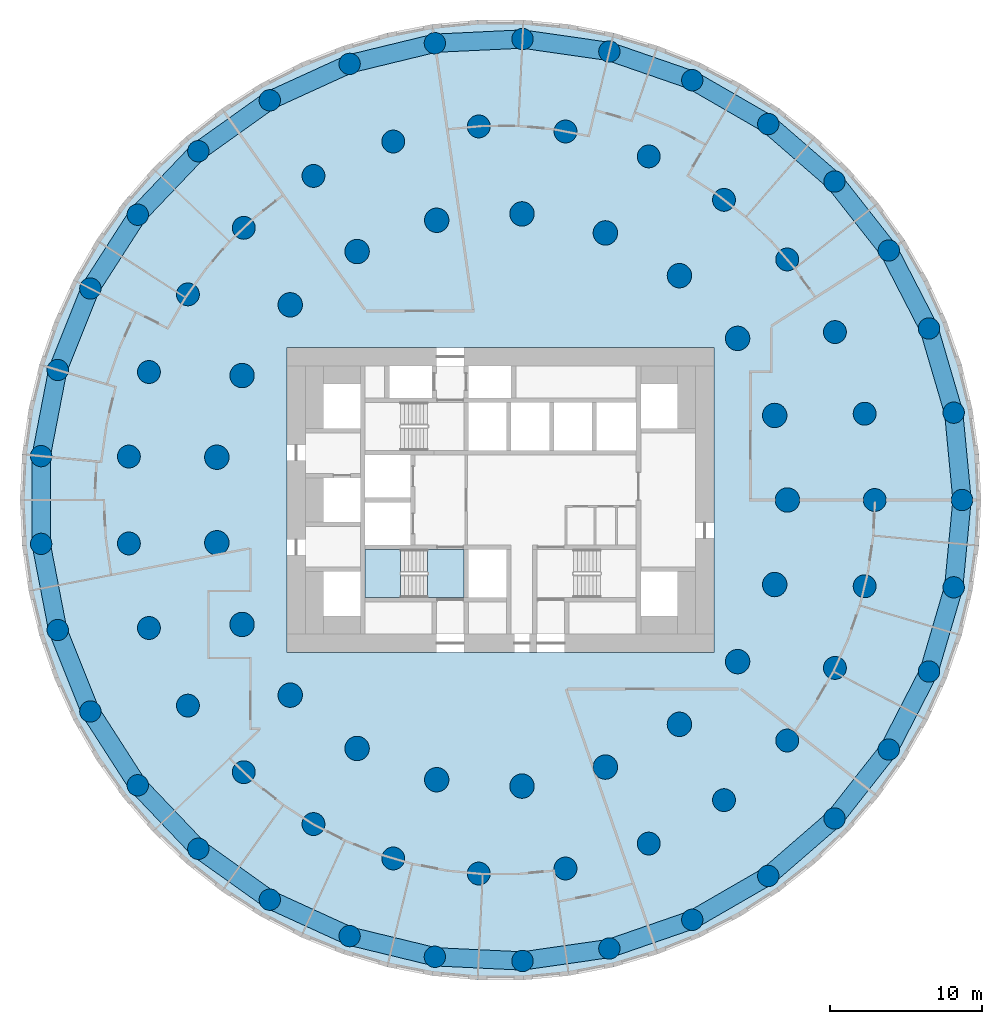
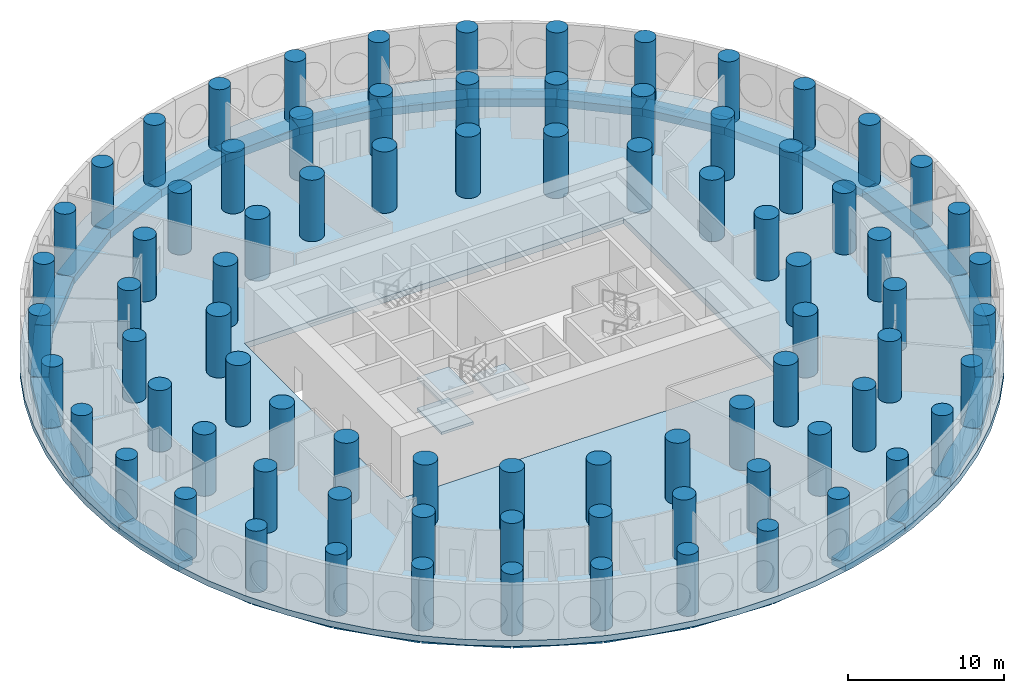
# One storey, part 1 of 11: 81 columns, 33 beams, 4 slabs, 1 element without a shape of its own.
"""IFC4 building model written with IfcOpenShell, lengths in metres."""

from ifc_helpers import new_model, si_unit, direction, frame, origin, origin_2d, place, context, subcontext, project, spatial, polyline, rectangle, circle, outline, extrude, material, layer, layer_set, material_profile, profile_set, type_object, element, aggregate, save


model = new_model("IFC4")

# Units and contexts
model_context = context("Model", 3, precision=1e-05, world=origin(), true_north=direction((0.0, 1.0)))
body_context = subcontext(model_context, "Body", "Model", "MODEL_VIEW")
ifc_project = project(units=[si_unit("LENGTHUNIT", "METRE"), si_unit("AREAUNIT", "SQUARE_METRE"), si_unit("VOLUMEUNIT", "CUBIC_METRE"), si_unit("PLANEANGLEUNIT", "RADIAN"), si_unit("MASSUNIT", "GRAM", prefix="KILO")], contexts=[model_context])

# Site, building, storey
site_placement = place(None, origin())
site = spatial("IfcSite", under=ifc_project, at=site_placement, CompositionType="ELEMENT")
building_placement = place(site_placement, origin())
building = spatial("IfcBuilding", under=site, at=building_placement, Name="Tracery Tower", CompositionType="ELEMENT")
storey_placement = place(building_placement, frame((0.0, 0.0, 9.0)))
storey = spatial("IfcBuildingStorey", under=building, at=storey_placement, Name="L01", CompositionType="ELEMENT", Elevation=9.0)

# Columns
ifc_material_1 = material(Name="Concrete C60/75", Category="concrete")
ifc_material_profile_1 = material_profile(ifc_material_1, circle(Radius=0.699951171875, at=origin_2d()), Name="RC D1400")
ifc_profile_set_1 = profile_set([ifc_material_profile_1], Name="Concrete C60/75")
column_type_1 = type_object("IfcColumnType", Name="Ring 0 column 1400", PredefinedType="COLUMN", material=ifc_profile_set_1)
for number, where, z_axis, x_axis, name in (
    (1, (30.274658203125, 0.0, 0.0), (0.0, 0.0, 1.0), (1.0, 0.0, 0.0), "Ring 0 column 00 at L01"),
    (2, (29.7275390625, 5.7294921875, 0.0), (0.0, 0.0, 1.0), (1.0, 0.0, 0.0), "Ring 0 column 01 at L01"),
    (3, (28.10595703125, 11.251953125, 0.0), (0.0, 0.0, 1.0), (1.0, 0.0, 0.0), "Ring 0 column 02 at L01"),
    (4, (25.468505859375, 16.36767578125, 0.0), (0.0, 0.0, 1.0), (1.0, 0.0, 0.0), "Ring 0 column 03 at L01"),
    (5, (21.910888671875, 20.891845703125, 0.0), (0.0, 0.0, 1.0), (1.0, 0.0, 0.0), "Ring 0 column 04 at L01"),
    (6, (17.56103515625, 24.660888671875, 0.0), (0.0, 0.0, 1.0), (1.0, 0.0, 0.0), "Ring 0 column 05 at L01"),
    (7, (12.576416015625, 27.538818359375, 0.0), (0.0, 0.0, 1.0), (1.0, 0.0, 0.0), "Ring 0 column 06 at L01"),
    (8, (7.137451171875, 29.421142578125, 0.0), (0.0, 0.0, 1.0), (1.0, 0.0, 0.0), "Ring 0 column 07 at L01"),
    (9, (1.4404296875, 30.240234375, 0.0), (0.0, 0.0, 1.0), (1.0, 0.0, 0.0), "Ring 0 column 08 at L01"),
    (10, (-4.30859375, 29.96630859375, 0.0), (0.0, 0.0, 1.0), (1.0, 0.0, 0.0), "Ring 0 column 09 at L01"),
    (11, (-9.90185546875, 28.609619140625, 0.0), (0.0, 0.0, 1.0), (1.0, 0.0, 0.0), "Ring 0 column 10 at L01"),
    (12, (-15.13720703125, 26.218505859375, 0.0), (0.0, 0.0, 1.0), (1.0, 0.0, 0.0), "Ring 0 column 11 at L01"),
    (13, (-19.82568359375, 22.8798828125, 0.0), (0.0, 0.0, 1.0), (1.0, 0.0, 0.0), "Ring 0 column 12 at L01"),
    (14, (-23.79736328125, 18.714599609375, 0.0), (0.0, 0.0, 1.0), (1.0, 0.0, 0.0), "Ring 0 column 13 at L01"),
    (15, (-26.9091796875, 13.87255859375, 0.0), (0.0, 0.0, 1.0), (1.0, 0.0, 0.0), "Ring 0 column 14 at L01"),
    (16, (-29.04833984375, 8.529296875, 0.0), (0.0, 0.0, 1.0), (1.0, 0.0, 0.0), "Ring 0 column 15 at L01"),
    (17, (-30.137451171875, 2.877685546875, 0.0), (0.0, 0.0, 1.0), (1.0, 0.0, 0.0), "Ring 0 column 16 at L01"),
    (18, (-30.137451171875, -2.877685546875, 0.0), (0.0, 0.0, 1.0), (1.0, 0.0, 0.0), "Ring 0 column 17 at L01"),
    (19, (-29.04833984375, -8.529296875, 0.0), (0.0, 0.0, 1.0), (1.0, 0.0, 0.0), "Ring 0 column 18 at L01"),
    (20, (-26.9091796875, -13.87255859375, 0.0), (0.0, 0.0, 1.0), (1.0, 0.0, 0.0), "Ring 0 column 19 at L01"),
    (21, (-23.79736328125, -18.714599609375, 0.0), (0.0, 0.0, 1.0), (1.0, 0.0, 0.0), "Ring 0 column 20 at L01"),
    (22, (-19.82568359375, -22.8798828125, 0.0), (0.0, 0.0, 1.0), (1.0, 0.0, 0.0), "Ring 0 column 21 at L01"),
    (23, (-15.13720703125, -26.218505859375, 0.0), (0.0, 0.0, 1.0), (1.0, 0.0, 0.0), "Ring 0 column 22 at L01"),
    (24, (-9.90185546875, -28.609619140625, 0.0), (0.0, 0.0, 1.0), (1.0, 0.0, 0.0), "Ring 0 column 23 at L01"),
    (25, (-4.30859375, -29.96630859375, 0.0), (0.0, 0.0, 1.0), (1.0, 0.0, 0.0), "Ring 0 column 24 at L01"),
    (26, (1.4404296875, -30.240234375, 0.0), (0.0, 0.0, 1.0), (1.0, 0.0, 0.0), "Ring 0 column 25 at L01"),
    (27, (7.137451171875, -29.421142578125, 0.0), (0.0, 0.0, 1.0), (1.0, 0.0, 0.0), "Ring 0 column 26 at L01"),
    (28, (12.576416015625, -27.538818359375, 0.0), (0.0, 0.0, 1.0), (1.0, 0.0, 0.0), "Ring 0 column 27 at L01"),
    (29, (17.56103515625, -24.660888671875, 0.0), (0.0, 0.0, 1.0), (1.0, 0.0, 0.0), "Ring 0 column 28 at L01"),
    (30, (21.910888671875, -20.891845703125, 0.0), (0.0, 0.0, 1.0), (1.0, 0.0, 0.0), "Ring 0 column 29 at L01"),
    (31, (25.468505859375, -16.36767578125, 0.0), (0.0, 0.0, 1.0), (1.0, 0.0, 0.0), "Ring 0 column 30 at L01"),
    (32, (28.10595703125, -11.251953125, 0.0), (0.0, 0.0, 1.0), (1.0, 0.0, 0.0), "Ring 0 column 31 at L01"),
    (33, (29.7275390625, -5.7294921875, 0.0), (0.0, 0.0, 1.0), (1.0, 0.0, 0.0), "Ring 0 column 32 at L01"),
):
    element("IfcColumn", number, at=place(storey_placement, frame(where, z_axis=z_axis, x_axis=x_axis)), inside=storey, type_object=column_type_1, Name=name, PredefinedType="COLUMN", context=body_context, shape_type="SweptSolid", body=[
        extrude(circle(Radius=0.699951171875, at=origin_2d()), origin(), (0.0, 0.0, 1.0), 4.800048828125),
    ])
ifc_material_2 = material(Name="Concrete C60/75", Category="concrete")
ifc_material_profile_2 = material_profile(ifc_material_2, circle(Radius=0.75, at=origin_2d()), Name="RC D1500")
ifc_profile_set_2 = profile_set([ifc_material_profile_2], Name="Concrete C60/75")
column_type_2 = type_object("IfcColumnType", Name="Ring 1 column 1500", PredefinedType="COLUMN", material=ifc_profile_set_2)
for number, where, z_axis, x_axis, name in (
    (34, (24.547607421875, 0.0, 0.0), (0.0, 0.0, 1.0), (1.0, 0.0, 0.0), "Ring 1 column 00 at L01"),
    (35, (23.885986328125, 5.6611328125, 0.0), (0.0, 0.0, 1.0), (1.0, 0.0, 0.0), "Ring 1 column 01 at L01"),
    (36, (21.9365234375, 11.01708984375, 0.0), (0.0, 0.0, 1.0), (1.0, 0.0, 0.0), "Ring 1 column 02 at L01"),
    (37, (18.8046875, 15.779052734375, 0.0), (0.0, 0.0, 1.0), (1.0, 0.0, 0.0), "Ring 1 column 03 at L01"),
    (38, (14.658935546875, 19.690185546875, 0.0), (0.0, 0.0, 1.0), (1.0, 0.0, 0.0), "Ring 1 column 04 at L01"),
    (39, (9.722900390625, 22.5400390625, 0.0), (0.0, 0.0, 1.0), (1.0, 0.0, 0.0), "Ring 1 column 05 at L01"),
    (40, (4.2626953125, 24.1748046875, 0.0), (0.0, 0.0, 1.0), (1.0, 0.0, 0.0), "Ring 1 column 06 at L01"),
    (41, (-1.42724609375, 24.506103515625, 0.0), (0.0, 0.0, 1.0), (1.0, 0.0, 0.0), "Ring 1 column 07 at L01"),
    (42, (-7.040283203125, 23.516357421875, 0.0), (0.0, 0.0, 1.0), (1.0, 0.0, 0.0), "Ring 1 column 08 at L01"),
    (43, (-12.273681640625, 21.2587890625, 0.0), (0.0, 0.0, 1.0), (1.0, 0.0, 0.0), "Ring 1 column 09 at L01"),
    (44, (-16.845703125, 17.855224609375, 0.0), (0.0, 0.0, 1.0), (1.0, 0.0, 0.0), "Ring 1 column 10 at L01"),
    (45, (-20.50927734375, 13.4892578125, 0.0), (0.0, 0.0, 1.0), (1.0, 0.0, 0.0), "Ring 1 column 11 at L01"),
    (46, (-23.0673828125, 8.395751953125, 0.0), (0.0, 0.0, 1.0), (1.0, 0.0, 0.0), "Ring 1 column 12 at L01"),
    (47, (-24.381591796875, 2.849853515625, 0.0), (0.0, 0.0, 1.0), (1.0, 0.0, 0.0), "Ring 1 column 13 at L01"),
    (48, (-24.381591796875, -2.849853515625, 0.0), (0.0, 0.0, 1.0), (1.0, 0.0, 0.0), "Ring 1 column 14 at L01"),
    (49, (-23.0673828125, -8.395751953125, 0.0), (0.0, 0.0, 1.0), (1.0, 0.0, 0.0), "Ring 1 column 15 at L01"),
    (50, (-20.50927734375, -13.4892578125, 0.0), (0.0, 0.0, 1.0), (1.0, 0.0, 0.0), "Ring 1 column 16 at L01"),
    (51, (-16.845703125, -17.85546875, 0.0), (0.0, 0.0, 1.0), (1.0, 0.0, 0.0), "Ring 1 column 17 at L01"),
    (52, (-12.27392578125, -21.2587890625, 0.0), (0.0, 0.0, 1.0), (1.0, 0.0, 0.0), "Ring 1 column 18 at L01"),
    (53, (-7.040283203125, -23.516357421875, 0.0), (0.0, 0.0, 1.0), (1.0, 0.0, 0.0), "Ring 1 column 19 at L01"),
    (54, (-1.42724609375, -24.506103515625, 0.0), (0.0, 0.0, 1.0), (1.0, 0.0, 0.0), "Ring 1 column 20 at L01"),
    (55, (4.2626953125, -24.1748046875, 0.0), (0.0, 0.0, 1.0), (1.0, 0.0, 0.0), "Ring 1 column 21 at L01"),
    (56, (9.722900390625, -22.5400390625, 0.0), (0.0, 0.0, 1.0), (1.0, 0.0, 0.0), "Ring 1 column 22 at L01"),
    (57, (14.658935546875, -19.690185546875, 0.0), (0.0, 0.0, 1.0), (1.0, 0.0, 0.0), "Ring 1 column 23 at L01"),
    (58, (18.8046875, -15.779052734375, 0.0), (0.0, 0.0, 1.0), (1.0, 0.0, 0.0), "Ring 1 column 24 at L01"),
    (59, (21.9365234375, -11.01708984375, 0.0), (0.0, 0.0, 1.0), (1.0, 0.0, 0.0), "Ring 1 column 25 at L01"),
    (60, (23.885986328125, -5.6611328125, 0.0), (0.0, 0.0, 1.0), (1.0, 0.0, 0.0), "Ring 1 column 26 at L01"),
):
    element("IfcColumn", number, at=place(storey_placement, frame(where, z_axis=z_axis, x_axis=x_axis)), inside=storey, type_object=column_type_2, Name=name, PredefinedType="COLUMN", context=body_context, shape_type="SweptSolid", body=[
        extrude(circle(Radius=0.75, at=origin_2d()), origin(), (0.0, 0.0, 1.0), 4.800048828125),
    ])
ifc_material_3 = material(Name="Concrete C60/75", Category="concrete")
ifc_material_profile_3 = material_profile(ifc_material_3, circle(Radius=0.800048828125, at=origin_2d()), Name="RC D1600")
ifc_profile_set_3 = profile_set([ifc_material_profile_3], Name="Concrete C60/75")
column_type_3 = type_object("IfcColumnType", Name="Ring 2 column 1600", PredefinedType="COLUMN", material=ifc_profile_set_3)
for number, where, z_axis, x_axis, name in (
    (61, (18.822265625, 0.0, 0.0), (0.0, 0.0, 1.0), (1.0, 0.0, 0.0), "Ring 2 column 00 at L01"),
    (62, (17.986083984375, 5.5478515625, 0.0), (0.0, 0.0, 1.0), (1.0, 0.0, 0.0), "Ring 2 column 01 at L01"),
    (63, (15.551513671875, 10.602783203125, 0.0), (0.0, 0.0, 1.0), (1.0, 0.0, 0.0), "Ring 2 column 02 at L01"),
    (64, (11.7353515625, 14.7158203125, 0.0), (0.0, 0.0, 1.0), (1.0, 0.0, 0.0), "Ring 2 column 03 at L01"),
    (65, (6.87646484375, 17.52099609375, 0.0), (0.0, 0.0, 1.0), (1.0, 0.0, 0.0), "Ring 2 column 04 at L01"),
    (66, (1.406494140625, 18.76953125, 0.0), (0.0, 0.0, 1.0), (1.0, 0.0, 0.0), "Ring 2 column 05 at L01"),
    (67, (-4.188232421875, 18.350341796875, 0.0), (0.0, 0.0, 1.0), (1.0, 0.0, 0.0), "Ring 2 column 06 at L01"),
    (68, (-9.4111328125, 16.300537109375, 0.0), (0.0, 0.0, 1.0), (1.0, 0.0, 0.0), "Ring 2 column 07 at L01"),
    (69, (-13.797607421875, 12.802490234375, 0.0), (0.0, 0.0, 1.0), (1.0, 0.0, 0.0), "Ring 2 column 08 at L01"),
    (70, (-16.958251953125, 8.16650390625, 0.0), (0.0, 0.0, 1.0), (1.0, 0.0, 0.0), "Ring 2 column 09 at L01"),
    (71, (-18.612060546875, 2.805419921875, 0.0), (0.0, 0.0, 1.0), (1.0, 0.0, 0.0), "Ring 2 column 10 at L01"),
    (72, (-18.612060546875, -2.805419921875, 0.0), (0.0, 0.0, 1.0), (1.0, 0.0, 0.0), "Ring 2 column 11 at L01"),
    (73, (-16.958251953125, -8.166748046875, 0.0), (0.0, 0.0, 1.0), (1.0, 0.0, 0.0), "Ring 2 column 12 at L01"),
    (74, (-13.797607421875, -12.80224609375, 0.0), (0.0, 0.0, 1.0), (1.0, 0.0, 0.0), "Ring 2 column 13 at L01"),
    (75, (-9.4111328125, -16.300537109375, 0.0), (0.0, 0.0, 1.0), (1.0, 0.0, 0.0), "Ring 2 column 14 at L01"),
    (76, (-4.188232421875, -18.350341796875, 0.0), (0.0, 0.0, 1.0), (1.0, 0.0, 0.0), "Ring 2 column 15 at L01"),
    (77, (1.406494140625, -18.76953125, 0.0), (0.0, 0.0, 1.0), (1.0, 0.0, 0.0), "Ring 2 column 16 at L01"),
    (78, (6.87646484375, -17.52099609375, 0.0), (0.0, 0.0, 1.0), (1.0, 0.0, 0.0), "Ring 2 column 17 at L01"),
    (79, (11.7353515625, -14.7158203125, 0.0), (0.0, 0.0, 1.0), (1.0, 0.0, 0.0), "Ring 2 column 18 at L01"),
    (80, (15.551513671875, -10.602783203125, 0.0), (0.0, 0.0, 1.0), (1.0, 0.0, 0.0), "Ring 2 column 19 at L01"),
    (81, (17.986083984375, -5.5478515625, 0.0), (0.0, 0.0, 1.0), (1.0, 0.0, 0.0), "Ring 2 column 20 at L01"),
):
    element("IfcColumn", number, at=place(storey_placement, frame(where, z_axis=z_axis, x_axis=x_axis)), inside=storey, type_object=column_type_3, Name=name, PredefinedType="COLUMN", context=body_context, shape_type="SweptSolid", body=[
        extrude(circle(Radius=0.800048828125, at=origin_2d()), origin(), (0.0, 0.0, 1.0), 4.800048828125),
    ])

# Beams
ifc_material_4 = material(Name="Concrete C60/75", Category="concrete")
ifc_material_profile_4 = material_profile(ifc_material_4, rectangle(XDim=1.199951171875, YDim=0.60009765625, at=origin_2d()), Name="RC 1200x600")
ifc_profile_set_4 = profile_set([ifc_material_profile_4], Name="Concrete C60/75")
beam_type = type_object("IfcBeamType", Name="Perimeter band beam 1200x600", PredefinedType="BEAM", material=ifc_profile_set_4)
for number, where, z_axis, x_axis, name in (
    (82, (30.274658203125, 0.0, -0.75), (-0.095059309677, 0.995471610667, 0.0), (-0.995471610667, -0.095059309677, 0.0), "Perimeter beam 0.00 under L01"),
    (83, (29.7275390625, 5.7294921875, -0.75), (-0.281739145896, 0.959491038869, 0.0), (-0.959491038869, -0.281739145896, 0.0), "Perimeter beam 0.01 under L01"),
    (84, (28.10595703125, 11.251953125, -0.75), (-0.458242010493, 0.88882746347, 0.0), (-0.88882746347, -0.458242010493, 0.0), "Perimeter beam 0.02 under L01"),
):
    element("IfcBeam", number, at=place(storey_placement, frame(where, z_axis=z_axis, x_axis=x_axis)), inside=storey, type_object=beam_type, Name=name, PredefinedType="BEAM", context=body_context, shape_type="SweptSolid", body=[
        extrude(rectangle(XDim=1.199951171875, YDim=0.60009765625, at=origin_2d()), origin(), (0.0, 0.0, 1.0), 5.755615234375),
    ])
beam_1_placement = place(storey_placement, frame((25.468505859375, 16.36767578125, -0.75), z_axis=(-0.618134362257, 0.786072458618, 0.0), x_axis=(-0.786072458618, -0.618134362257, 0.0)))
element("IfcBeam", 85, at=beam_1_placement, inside=storey, type_object=beam_type, Name="Perimeter beam 0.03 under L01", PredefinedType="BEAM", context=body_context, shape_type="SweptSolid", body=[
    extrude(rectangle(XDim=1.199951171875, YDim=0.60009765625, at=origin_2d()), origin(), (0.0, 0.0, 1.0), 5.75537109375),
])
beam_2_placement = place(storey_placement, frame((21.910888671875, 20.891845703125, -0.75), z_axis=(-0.755760456715, 0.65484817482, 0.0), x_axis=(-0.65484817482, -0.755760456715, 0.0)))
element("IfcBeam", 86, at=beam_2_placement, inside=storey, type_object=beam_type, Name="Perimeter beam 0.04 under L01", PredefinedType="BEAM", context=body_context, shape_type="SweptSolid", body=[
    extrude(rectangle(XDim=1.199951171875, YDim=0.60009765625, at=origin_2d()), origin(), (0.0, 0.0, 1.0), 5.755615234375),
])
beam_3_placement = place(storey_placement, frame((17.56103515625, 24.660888671875, -0.75), z_axis=(-0.866021003874, 0.50000762079, 0.0), x_axis=(-0.50000762079, -0.866021003874, 0.0)))
element("IfcBeam", 87, at=beam_3_placement, inside=storey, type_object=beam_type, Name="Perimeter beam 0.05 under L01", PredefinedType="BEAM", context=body_context, shape_type="SweptSolid", body=[
    extrude(rectangle(XDim=1.199951171875, YDim=0.60009765625, at=origin_2d()), origin(), (0.0, 0.0, 1.0), 5.755859375),
])
beam_4_placement = place(storey_placement, frame((12.576416015625, 27.538818359375, -0.75), z_axis=(-0.945007252869, 0.327049372458, 0.0), x_axis=(-0.327049372458, -0.945007252869, 0.0)))
element("IfcBeam", 88, at=beam_4_placement, inside=storey, type_object=beam_type, Name="Perimeter beam 0.06 under L01", PredefinedType="BEAM", context=body_context, shape_type="SweptSolid", body=[
    extrude(rectangle(XDim=1.199951171875, YDim=0.60009765625, at=origin_2d()), origin(), (0.0, 0.0, 1.0), 5.75537109375),
])
for number, where, z_axis, x_axis, name in (
    (89, (7.137451171875, 29.421142578125, -0.75), (-0.989821839174, 0.142312075013, 0.0), (-0.142312075013, -0.989821839174, 0.0), "Perimeter beam 0.07 under L01"),
    (90, (1.4404296875, 30.240234375, -0.75), (-0.998866793759, -0.047593364303, 0.0), (0.047593364303, -0.998866793759, 0.0), "Perimeter beam 0.08 under L01"),
):
    element("IfcBeam", number, at=place(storey_placement, frame(where, z_axis=z_axis, x_axis=x_axis)), inside=storey, type_object=beam_type, Name=name, PredefinedType="BEAM", context=body_context, shape_type="SweptSolid", body=[
        extrude(rectangle(XDim=1.199951171875, YDim=0.60009765625, at=origin_2d()), origin(), (0.0, 0.0, 1.0), 5.755615234375),
    ])
beam_5_placement = place(storey_placement, frame((-4.30859375, 29.96630859375, -0.75), z_axis=(-0.971820371509, -0.235722645328, 0.0), x_axis=(0.235722645328, -0.971820371509, 0.0)))
element("IfcBeam", 91, at=beam_5_placement, inside=storey, type_object=beam_type, Name="Perimeter beam 0.09 under L01", PredefinedType="BEAM", context=body_context, shape_type="SweptSolid", body=[
    extrude(rectangle(XDim=1.199951171875, YDim=0.60009765625, at=origin_2d()), origin(), (0.0, 0.0, 1.0), 5.75537109375),
])
for number, where, z_axis, x_axis, name in (
    (92, (-9.90185546875, 28.609619140625, -0.75), (-0.909618316865, -0.415444963411, 0.0), (0.415444963411, -0.909618316865, 0.0), "Perimeter beam 0.10 under L01"),
    (93, (-15.13720703125, 26.218505859375, -0.75), (-0.8145780864, -0.580053912285, 0.0), (0.580053912285, -0.8145780864, 0.0), "Perimeter beam 0.11 under L01"),
):
    element("IfcBeam", number, at=place(storey_placement, frame(where, z_axis=z_axis, x_axis=x_axis)), inside=storey, type_object=beam_type, Name=name, PredefinedType="BEAM", context=body_context, shape_type="SweptSolid", body=[
        extrude(rectangle(XDim=1.199951171875, YDim=0.60009765625, at=origin_2d()), origin(), (0.0, 0.0, 1.0), 5.755615234375),
    ])
beam_6_placement = place(storey_placement, frame((-19.82568359375, 22.8798828125, -0.75), z_axis=(-0.690087218267, -0.723726212863, 0.0), x_axis=(0.723726212863, -0.690087218267, 0.0)))
element("IfcBeam", 94, at=beam_6_placement, inside=storey, type_object=beam_type, Name="Perimeter beam 0.12 under L01", PredefinedType="BEAM", context=body_context, shape_type="SweptSolid", body=[
    extrude(rectangle(XDim=1.199951171875, YDim=0.60009765625, at=origin_2d()), origin(), (0.0, 0.0, 1.0), 5.75537109375),
])
beam_7_placement = place(storey_placement, frame((-23.79736328125, 18.714599609375, -0.75), z_axis=(-0.540643964602, -0.841251510274, 0.0), x_axis=(0.841251510274, -0.540643964602, 0.0)))
element("IfcBeam", 95, at=beam_7_placement, inside=storey, type_object=beam_type, Name="Perimeter beam 0.13 under L01", PredefinedType="BEAM", context=body_context, shape_type="SweptSolid", body=[
    extrude(rectangle(XDim=1.199951171875, YDim=0.60009765625, at=origin_2d()), origin(), (0.0, 0.0, 1.0), 5.755859375),
])
for number, where, z_axis, x_axis, name in (
    (96, (-26.9091796875, 13.87255859375, -0.75), (-0.371668572289, -0.928365484264, 0.0), (0.928365484264, -0.371668572289, 0.0), "Perimeter beam 0.14 under L01"),
    (97, (-29.04833984375, 8.529296875, -0.75), (-0.189226539295, -0.981933458451, 0.0), (0.981933458451, -0.189226539295, 0.0), "Perimeter beam 0.15 under L01"),
):
    element("IfcBeam", number, at=place(storey_placement, frame(where, z_axis=z_axis, x_axis=x_axis)), inside=storey, type_object=beam_type, Name=name, PredefinedType="BEAM", context=body_context, shape_type="SweptSolid", body=[
        extrude(rectangle(XDim=1.199951171875, YDim=0.60009765625, at=origin_2d()), origin(), (0.0, 0.0, 1.0), 5.755615234375),
    ])
beam_8_placement = place(storey_placement, frame((-30.137451171875, 2.877685546875, -0.75), z_axis=(0.0, -1.0, 0.0), x_axis=(1.0, 0.0, 0.0)))
element("IfcBeam", 98, at=beam_8_placement, inside=storey, type_object=beam_type, Name="Perimeter beam 0.16 under L01", PredefinedType="BEAM", context=body_context, shape_type="SweptSolid", body=[
    extrude(rectangle(XDim=1.199951171875, YDim=0.60009765625, at=origin_2d()), origin(), (0.0, 0.0, 1.0), 5.75537109375),
])
for number, where, z_axis, x_axis, name in (
    (99, (-30.137451171875, -2.877685546875, -0.75), (0.189226539295, -0.981933458451, 0.0), (0.981933458451, 0.189226539295, 0.0), "Perimeter beam 0.17 under L01"),
    (100, (-29.04833984375, -8.529296875, -0.75), (0.371668572289, -0.928365484264, 0.0), (0.928365484264, 0.371668572289, 0.0), "Perimeter beam 0.18 under L01"),
):
    element("IfcBeam", number, at=place(storey_placement, frame(where, z_axis=z_axis, x_axis=x_axis)), inside=storey, type_object=beam_type, Name=name, PredefinedType="BEAM", context=body_context, shape_type="SweptSolid", body=[
        extrude(rectangle(XDim=1.199951171875, YDim=0.60009765625, at=origin_2d()), origin(), (0.0, 0.0, 1.0), 5.755615234375),
    ])
beam_9_placement = place(storey_placement, frame((-26.9091796875, -13.87255859375, -0.75), z_axis=(0.540643964602, -0.841251510274, 0.0), x_axis=(0.841251510274, 0.540643964602, 0.0)))
element("IfcBeam", 101, at=beam_9_placement, inside=storey, type_object=beam_type, Name="Perimeter beam 0.19 under L01", PredefinedType="BEAM", context=body_context, shape_type="SweptSolid", body=[
    extrude(rectangle(XDim=1.199951171875, YDim=0.60009765625, at=origin_2d()), origin(), (0.0, 0.0, 1.0), 5.755859375),
])
beam_10_placement = place(storey_placement, frame((-23.79736328125, -18.714599609375, -0.75), z_axis=(0.690087218267, -0.723726212863, 0.0), x_axis=(0.723726212863, 0.690087218267, 0.0)))
element("IfcBeam", 102, at=beam_10_placement, inside=storey, type_object=beam_type, Name="Perimeter beam 0.20 under L01", PredefinedType="BEAM", context=body_context, shape_type="SweptSolid", body=[
    extrude(rectangle(XDim=1.199951171875, YDim=0.60009765625, at=origin_2d()), origin(), (0.0, 0.0, 1.0), 5.75537109375),
])
for number, where, z_axis, x_axis, name in (
    (103, (-19.82568359375, -22.8798828125, -0.75), (0.8145780864, -0.580053912285, 0.0), (0.580053912285, 0.8145780864, 0.0), "Perimeter beam 0.21 under L01"),
    (104, (-15.13720703125, -26.218505859375, -0.75), (0.909618316865, -0.415444963411, 0.0), (0.415444963411, 0.909618316865, 0.0), "Perimeter beam 0.22 under L01"),
):
    element("IfcBeam", number, at=place(storey_placement, frame(where, z_axis=z_axis, x_axis=x_axis)), inside=storey, type_object=beam_type, Name=name, PredefinedType="BEAM", context=body_context, shape_type="SweptSolid", body=[
        extrude(rectangle(XDim=1.199951171875, YDim=0.60009765625, at=origin_2d()), origin(), (0.0, 0.0, 1.0), 5.755615234375),
    ])
beam_11_placement = place(storey_placement, frame((-9.90185546875, -28.609619140625, -0.75), z_axis=(0.971820371509, -0.235722645328, 0.0), x_axis=(0.235722645328, 0.971820371509, 0.0)))
element("IfcBeam", 105, at=beam_11_placement, inside=storey, type_object=beam_type, Name="Perimeter beam 0.23 under L01", PredefinedType="BEAM", context=body_context, shape_type="SweptSolid", body=[
    extrude(rectangle(XDim=1.199951171875, YDim=0.60009765625, at=origin_2d()), origin(), (0.0, 0.0, 1.0), 5.75537109375),
])
for number, where, z_axis, x_axis, name in (
    (106, (-4.30859375, -29.96630859375, -0.75), (0.998866793759, -0.047593364303, 0.0), (0.047593364303, 0.998866793759, 0.0), "Perimeter beam 0.24 under L01"),
    (107, (1.4404296875, -30.240234375, -0.75), (0.989821839174, 0.142312075013, 0.0), (-0.142312075013, 0.989821839174, 0.0), "Perimeter beam 0.25 under L01"),
):
    element("IfcBeam", number, at=place(storey_placement, frame(where, z_axis=z_axis, x_axis=x_axis)), inside=storey, type_object=beam_type, Name=name, PredefinedType="BEAM", context=body_context, shape_type="SweptSolid", body=[
        extrude(rectangle(XDim=1.199951171875, YDim=0.60009765625, at=origin_2d()), origin(), (0.0, 0.0, 1.0), 5.755615234375),
    ])
beam_12_placement = place(storey_placement, frame((7.137451171875, -29.421142578125, -0.75), z_axis=(0.945007252869, 0.327049372458, 0.0), x_axis=(-0.327049372458, 0.945007252869, 0.0)))
element("IfcBeam", 108, at=beam_12_placement, inside=storey, type_object=beam_type, Name="Perimeter beam 0.26 under L01", PredefinedType="BEAM", context=body_context, shape_type="SweptSolid", body=[
    extrude(rectangle(XDim=1.199951171875, YDim=0.60009765625, at=origin_2d()), origin(), (0.0, 0.0, 1.0), 5.75537109375),
])
beam_13_placement = place(storey_placement, frame((12.576416015625, -27.538818359375, -0.75), z_axis=(0.866021003874, 0.50000762079, 0.0), x_axis=(-0.50000762079, 0.866021003874, 0.0)))
element("IfcBeam", 109, at=beam_13_placement, inside=storey, type_object=beam_type, Name="Perimeter beam 0.27 under L01", PredefinedType="BEAM", context=body_context, shape_type="SweptSolid", body=[
    extrude(rectangle(XDim=1.199951171875, YDim=0.60009765625, at=origin_2d()), origin(), (0.0, 0.0, 1.0), 5.755859375),
])
beam_14_placement = place(storey_placement, frame((17.56103515625, -24.660888671875, -0.75), z_axis=(0.755760456715, 0.65484817482, 0.0), x_axis=(-0.65484817482, 0.755760456715, 0.0)))
element("IfcBeam", 110, at=beam_14_placement, inside=storey, type_object=beam_type, Name="Perimeter beam 0.28 under L01", PredefinedType="BEAM", context=body_context, shape_type="SweptSolid", body=[
    extrude(rectangle(XDim=1.199951171875, YDim=0.60009765625, at=origin_2d()), origin(), (0.0, 0.0, 1.0), 5.755615234375),
])
beam_15_placement = place(storey_placement, frame((21.910888671875, -20.891845703125, -0.75), z_axis=(0.618134362257, 0.786072458618, 0.0), x_axis=(-0.786072458618, 0.618134362257, 0.0)))
element("IfcBeam", 111, at=beam_15_placement, inside=storey, type_object=beam_type, Name="Perimeter beam 0.29 under L01", PredefinedType="BEAM", context=body_context, shape_type="SweptSolid", body=[
    extrude(rectangle(XDim=1.199951171875, YDim=0.60009765625, at=origin_2d()), origin(), (0.0, 0.0, 1.0), 5.75537109375),
])
for number, where, z_axis, x_axis, name in (
    (112, (25.468505859375, -16.36767578125, -0.75), (0.458242010493, 0.88882746347, 0.0), (-0.88882746347, 0.458242010493, 0.0), "Perimeter beam 0.30 under L01"),
    (113, (28.10595703125, -11.251953125, -0.75), (0.281739145896, 0.959491038869, 0.0), (-0.959491038869, 0.281739145896, 0.0), "Perimeter beam 0.31 under L01"),
    (114, (29.7275390625, -5.7294921875, -0.75), (0.095059309677, 0.995471610667, 0.0), (-0.995471610667, 0.095059309677, 0.0), "Perimeter beam 0.32 under L01"),
):
    element("IfcBeam", number, at=place(storey_placement, frame(where, z_axis=z_axis, x_axis=x_axis)), inside=storey, type_object=beam_type, Name=name, PredefinedType="BEAM", context=body_context, shape_type="SweptSolid", body=[
        extrude(rectangle(XDim=1.199951171875, YDim=0.60009765625, at=origin_2d()), origin(), (0.0, 0.0, 1.0), 5.755615234375),
    ])

# Slab
ifc_material_5 = material(Name="Concrete C50/60", Category="concrete")
ifc_layer_1 = layer(ifc_material_5, 0.449951171875)
ifc_layer_set_1 = layer_set([ifc_layer_1], Name="Floor slab 450")
slab_type_1 = type_object("IfcSlabType", Name="Floor slab 450", PredefinedType="FLOOR", material=ifc_layer_set_1)
slab_1_placement = place(storey_placement, frame((0.0, 0.0, -0.449951171875)))
element("IfcSlab", 115, at=slab_1_placement, inside=storey, type_object=slab_type_1, Name="Floor slab L01", PredefinedType="FLOOR", context=body_context, shape_type="SweptSolid", body=[
    extrude(outline(polyline([(31.524658203125, 0.0), (31.3818359375, 2.99658203125), (30.954833984375, 5.966064453125), (30.24755859375, 8.881591796875), (29.266357421875, 11.716552734375), (28.020263671875, 14.4453125), (26.520263671875, 17.04345703125), (24.780029296875, 19.4873046875), (22.8154296875, 21.75439453125), (20.644287109375, 23.82470703125), (18.2861328125, 25.67919921875), (15.76220703125, 27.301025390625), (13.095703125, 28.67578125), (10.310791015625, 29.790771484375), (7.43212890625, 30.635986328125), (4.486328125, 31.20361328125), (1.5, 31.489013671875), (-1.5, 31.489013671875), (-4.486328125, 31.20361328125), (-7.43212890625, 30.635986328125), (-10.310791015625, 29.790771484375), (-13.095703125, 28.67578125), (-15.76220703125, 27.301025390625), (-18.2861328125, 25.67919921875), (-20.644287109375, 23.82470703125), (-22.8154296875, 21.75439453125), (-24.780029296875, 19.4873046875), (-26.520263671875, 17.04345703125), (-28.020263671875, 14.4453125), (-29.266357421875, 11.716552734375), (-30.24755859375, 8.881591796875), (-30.954833984375, 5.966064453125), (-31.3818359375, 2.99658203125), (-31.524658203125, 0.0), (-31.3818359375, -2.99658203125), (-30.954833984375, -5.966064453125), (-30.24755859375, -8.881591796875), (-29.266357421875, -11.716552734375), (-28.020263671875, -14.4453125), (-26.520263671875, -17.04345703125), (-24.780029296875, -19.4873046875), (-22.8154296875, -21.75439453125), (-20.644287109375, -23.82470703125), (-18.2861328125, -25.67919921875), (-15.76220703125, -27.301025390625), (-13.095703125, -28.67578125), (-10.310791015625, -29.790771484375), (-7.43212890625, -30.635986328125), (-4.486328125, -31.20361328125), (-1.5, -31.489013671875), (1.5, -31.489013671875), (4.486328125, -31.20361328125), (7.43212890625, -30.635986328125), (10.310791015625, -29.790771484375), (13.095703125, -28.67578125), (15.76220703125, -27.301025390625), (18.2861328125, -25.67919921875), (20.644287109375, -23.82470703125), (22.8154296875, -21.75439453125), (24.780029296875, -19.4873046875), (26.520263671875, -17.04345703125), (28.020263671875, -14.4453125), (29.266357421875, -11.716552734375), (30.24755859375, -8.881591796875), (30.954833984375, -5.966064453125), (31.3818359375, -2.99658203125), (31.524658203125, 0.0)]), holes=[polyline([(-14.0, -10.0), (14.0, -10.0), (14.0, 10.0), (-14.0, 10.0), (-14.0, -10.0)])]), origin(), (0.0, 0.0, 1.0), 0.449951171875),
])

# Stair, slabs
ifc_material_6 = material(Name="Concrete C32/40", Category="concrete")
stair_type = type_object("IfcStairType", Name="Core stair 32 risers", PredefinedType="HALF_TURN_STAIR", material=ifc_material_6)
stair_placement = place(storey_placement, origin())
stair = element("IfcStair", 116, at=stair_placement, inside=storey, type_object=stair_type, Name="L01 stair ST1", PredefinedType="HALF_TURN_STAIR")
ifc_material_7 = material(Name="Concrete C32/40", Category="concrete")
ifc_layer_2 = layer(ifc_material_7, 0.199951171875)
ifc_layer_set_2 = layer_set([ifc_layer_2], Name="Stair landing slab 200")
slab_type_2 = type_object("IfcSlabType", Name="Stair landing slab 200", PredefinedType="LANDING", material=ifc_layer_set_2)
slab_2_placement = place(storey_placement, frame((0.0, 0.0, 1.0)))
slab_2 = element("IfcSlab", 117, at=slab_2_placement, type_object=slab_type_2, Name="ST1 landing 1", PredefinedType="LANDING", context=body_context, shape_type="SweptSolid", body=[
    extrude(outline(polyline([(-6.54931640625, -3.25), (-8.89990234375, -3.25), (-8.89990234375, -6.39990234375), (-6.54931640625, -6.39990234375), (-6.54931640625, -3.25)])), origin(), (0.0, 0.0, 1.0), 0.199951171875),
])
slab_3_placement = place(storey_placement, frame((0.0, 0.0, 2.199951171875)))
slab_3 = element("IfcSlab", 118, at=slab_3_placement, type_object=slab_type_2, Name="ST1 landing 2", PredefinedType="LANDING", context=body_context, shape_type="SweptSolid", body=[
    extrude(outline(polyline([(-2.39990234375, -3.25), (-4.800537109375, -3.25), (-4.800537109375, -6.39990234375), (-2.39990234375, -6.39990234375), (-2.39990234375, -3.25)])), origin(), (0.0, 0.0, 1.0), 0.199951171875),
])
slab_4_placement = place(storey_placement, frame((0.0, 0.0, 3.39990234375)))
slab_4 = element("IfcSlab", 119, at=slab_4_placement, type_object=slab_type_2, Name="ST1 landing 3", PredefinedType="LANDING", context=body_context, shape_type="SweptSolid", body=[
    extrude(outline(polyline([(-6.54931640625, -3.25), (-8.89990234375, -3.25), (-8.89990234375, -6.39990234375), (-6.54931640625, -6.39990234375), (-6.54931640625, -3.25)])), origin(), (0.0, 0.0, 1.0), 0.2001953125),
])
aggregate(stair, [slab_2, slab_3, slab_4])

save(model, "model.ifc")
